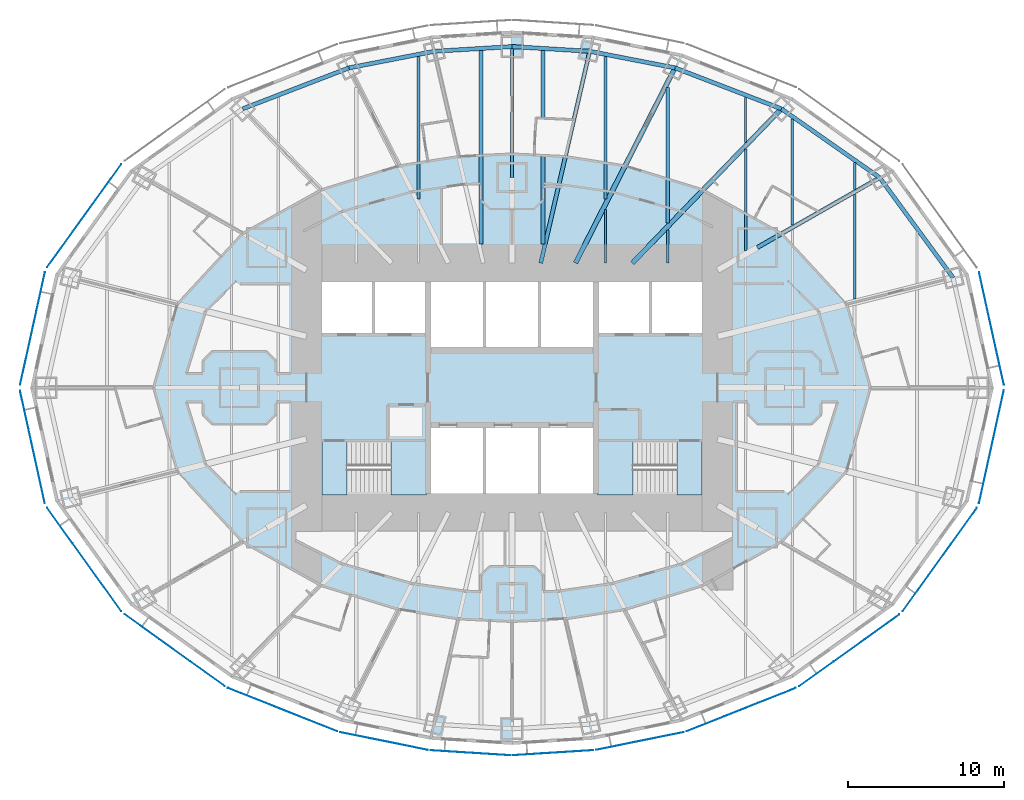
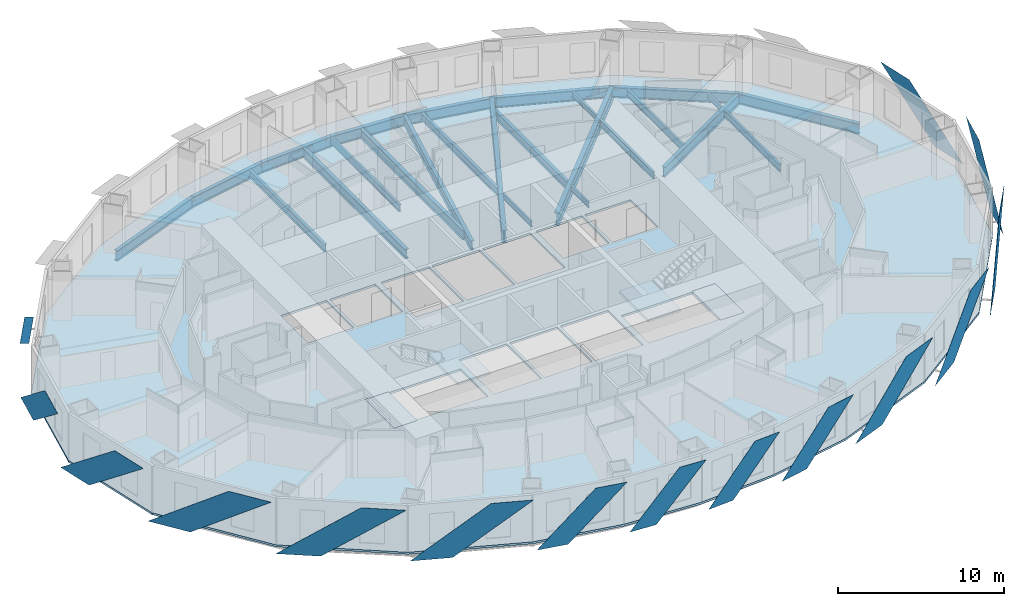
# One storey, part 3 of 15: 25 beams, 15 plates, 5 slabs, 2 elements without a shape of their own.
"""IFC4 building model written with IfcOpenShell, lengths in metres."""

import ifcopenshell
import ifcopenshell.guid

model = None  # the IFC model being written
_history = None  # IfcOwnerHistory: only IFC2X3 demands one
_inside = {}  # id of a spatial element -> (the spatial element, [elements in it])
_under = {}  # id of a project, library or spatial element -> (it, [spatial elements below it])
_declared = {}  # id of a project -> (the project, [libraries it declares])
_typed = {}  # id of a type object -> (the type object, [elements of that type])
_made_of = {}  # id of a material, layer set ... -> (it, [elements and type objects made of it])


def new_model(schema):
    """Start an empty IFC model of exactly this schema.

    Asked for "IFC4X3", IfcOpenShell would pick the latest addendum, in which some entities
    have other attributes; the version numbers below select the first issue.
    IFC2X3 requires an IfcOwnerHistory on every rooted entity: one is made here for all.
    """
    global model, _history
    if schema == "IFC4X3":
        model = ifcopenshell.file(schema_version=(4, 3, 0, 0))
    else:
        model = ifcopenshell.file(schema=schema)
    _inside.clear()
    _under.clear()
    _declared.clear()
    _typed.clear()
    _made_of.clear()
    _history = None
    if model.schema == "IFC2X3":
        org = make("IfcOrganization", Name="unknown")
        user = make(
            "IfcPersonAndOrganization",
            ThePerson=make("IfcPerson", FamilyName="unknown"),
            TheOrganization=org,
        )
        app = make(
            "IfcApplication",
            ApplicationDeveloper=org,
            Version="unknown",
            ApplicationFullName="unknown",
            ApplicationIdentifier="unknown",
        )
        _history = make(
            "IfcOwnerHistory",
            OwningUser=user,
            OwningApplication=app,
            ChangeAction="ADDED",
            CreationDate=0,
        )
    return model


def make(cls, **values):
    """One entity of the class cls with the attributes given. An attribute that is None is left unset."""
    return model.create_entity(
        cls, **{name: value for name, value in values.items() if value is not None}
    )


def rooted(cls, **values):
    """An entity with a GlobalId (a new one), such as an element, a storey or a relation."""
    return make(cls, GlobalId=ifcopenshell.guid.new(), OwnerHistory=_history, **values)


def si_unit(unit_type, name, prefix=None):
    """IfcSIUnit, for example si_unit("LENGTHUNIT", "METRE", prefix="MILLI")."""
    return make("IfcSIUnit", UnitType=unit_type, Prefix=prefix, Name=name)


def assignment(units):
    """IfcUnitAssignment: the units of a project."""
    return None if units is None else make("IfcUnitAssignment", Units=units)


def point(xyz):
    """IfcCartesianPoint."""
    return None if xyz is None else make("IfcCartesianPoint", Coordinates=xyz)


def direction(xyz):
    """IfcDirection."""
    return None if xyz is None else make("IfcDirection", DirectionRatios=xyz)


def frame(location, z_axis=None, x_axis=None):
    """IfcAxis2Placement3D, a coordinate frame: its origin and axes. An axis left out is left unset."""
    return make(
        "IfcAxis2Placement3D",
        Location=point(location),
        Axis=direction(z_axis),
        RefDirection=direction(x_axis),
    )


def frame_2d(location, x_axis=None):
    """IfcAxis2Placement2D, a coordinate frame in the plane: its origin and x axis."""
    return make(
        "IfcAxis2Placement2D", Location=point(location), RefDirection=direction(x_axis)
    )


def origin():
    """The frame at (0, 0, 0) with its axes left unset."""
    return frame((0.0, 0.0, 0.0))


def origin_2d():
    """The frame at (0, 0) in the plane with its x axis left unset."""
    return frame_2d((0.0, 0.0))


def place(relative_to, where):
    """IfcLocalPlacement: puts the frame where relative to a parent placement (None: the world)."""
    return make(
        "IfcLocalPlacement", PlacementRelTo=relative_to, RelativePlacement=where
    )


def context(
    kind, dimensions, precision=None, world=None, true_north=None, identifier=None
):
    """IfcGeometricRepresentationContext, for example the 3D "Model" context."""
    return make(
        "IfcGeometricRepresentationContext",
        ContextIdentifier=identifier,
        ContextType=kind,
        CoordinateSpaceDimension=dimensions,
        Precision=precision,
        WorldCoordinateSystem=world,
        TrueNorth=true_north,
    )


def subcontext(parent, identifier, kind, view, scale=None):
    """IfcGeometricRepresentationSubContext, for example "Body" below "Model"."""
    return make(
        "IfcGeometricRepresentationSubContext",
        ContextIdentifier=identifier,
        ContextType=kind,
        ParentContext=parent,
        TargetScale=scale,
        TargetView=view,
    )


def project(units=None, contexts=None):
    """IfcProject with its units and contexts."""
    return rooted(
        "IfcProject",
        Name="project",
        RepresentationContexts=contexts,
        UnitsInContext=assignment(units),
    )


def spatial(cls, under=None, at=None, **own):
    """A site, building, storey or space (cls), placed at a placement, below another one or the project."""
    s = rooted(cls, ObjectPlacement=at, **own)
    if under is not None:
        _under.setdefault(under.id(), (under, []))[1].append(s)
    return s


def polyline(points):
    """IfcPolyline through the points."""
    return make("IfcPolyline", Points=[point(p) for p in points])


def profile(cls, at=None, kind="AREA", **sizes):
    """A parametric profile (cls). Its sizes go by their IFC names, for example OverallWidth=200.0."""
    return make(cls, ProfileType=kind, Position=at, **sizes)


def i_section(**sizes):
    """IfcIShapeProfileDef."""
    return profile("IfcIShapeProfileDef", **sizes)


def outline(outer, holes=None, kind="AREA"):
    """IfcArbitraryClosedProfileDef: a profile drawn as a closed curve; with holes, ...WithVoids."""
    if holes is None:
        return make("IfcArbitraryClosedProfileDef", ProfileType=kind, OuterCurve=outer)
    return make(
        "IfcArbitraryProfileDefWithVoids",
        ProfileType=kind,
        OuterCurve=outer,
        InnerCurves=holes,
    )


def extrude(swept, where, along, depth):
    """IfcExtrudedAreaSolid: the profile swept, set in the frame where, extruded along a direction by depth."""
    return make(
        "IfcExtrudedAreaSolid",
        SweptArea=swept,
        Position=where,
        ExtrudedDirection=direction(along),
        Depth=depth,
    )


def shape(context_of_items, identifier, shape_type, items):
    """IfcShapeRepresentation: the items that make up one representation, for example the "Body"."""
    return make(
        "IfcShapeRepresentation",
        ContextOfItems=context_of_items,
        RepresentationIdentifier=identifier,
        RepresentationType=shape_type,
        Items=items,
    )


def material(Name=None, Category=None):
    """IfcMaterial."""
    return make("IfcMaterial", Name=Name, Category=Category)


def layer(
    of_material, thickness, ventilated=None, Name=None, Category=None, Priority=None
):
    """IfcMaterialLayer: one layer of a wall or slab, of a material (None: an air gap)."""
    return make(
        "IfcMaterialLayer",
        Material=of_material,
        LayerThickness=thickness,
        IsVentilated=ventilated,
        Name=Name,
        Category=Category,
        Priority=Priority,
    )


def layer_set(layers, Name=None):
    """IfcMaterialLayerSet."""
    return make("IfcMaterialLayerSet", MaterialLayers=layers, LayerSetName=Name)


def material_profile(
    of_material, cross_section, Name=None, Category=None, Priority=None
):
    """IfcMaterialProfile: a cross section and its material."""
    return make(
        "IfcMaterialProfile",
        Name=Name,
        Material=of_material,
        Profile=cross_section,
        Priority=Priority,
        Category=Category,
    )


def profile_set(profiles, Name=None, composite=None):
    """IfcMaterialProfileSet."""
    return make(
        "IfcMaterialProfileSet",
        Name=Name,
        MaterialProfiles=profiles,
        CompositeProfile=composite,
    )


def made_of(thing, what):
    """Note that an element or type object is made of a material, layer set ...; save() writes the relation."""
    if what is not None:
        _made_of.setdefault(what.id(), (what, []))[1].append(thing)
    return thing


def type_object(cls, material=None, **own):
    """A type object (cls), such as IfcWallType, which elements share."""
    return made_of(rooted(cls, **own), material)


def element(
    cls,
    number,
    at=None,
    inside=None,
    cuts=None,
    type_object=None,
    material=None,
    context=None,
    identifier="Body",
    shape_type=None,
    held_by="IfcProductDefinitionShape",
    body=None,
    shapes=None,
    **own,
):
    """One element of the class cls, such as IfcWall. Its Tag is "e" and its number.

    at: its placement. inside: the storey or other place that contains it. cuts: it is an
    opening in that element (IfcRelVoidsElement). A single representation is given by context,
    identifier, shape_type and body (its items); several are given by shapes. held_by: the class
    of the entity that holds the representations. save() writes the other relations.
    """
    e = rooted(cls, Tag="e%d" % number, ObjectPlacement=at, **own)
    if body is not None:
        shapes = [shape(context, identifier, shape_type, body)]
    if shapes is not None:
        e.Representation = make(held_by, Representations=shapes)
    if inside is not None:
        _inside.setdefault(inside.id(), (inside, []))[1].append(e)
    if cuts is not None:
        rooted(
            "IfcRelVoidsElement", RelatingBuildingElement=cuts, RelatedOpeningElement=e
        )
    if type_object is not None:
        _typed.setdefault(type_object.id(), (type_object, []))[1].append(e)
    return made_of(e, material)


def aggregate(whole, parts):
    """IfcRelAggregates: a whole, such as a stair, and the parts it consists of."""
    return rooted("IfcRelAggregates", RelatingObject=whole, RelatedObjects=parts)


def save(model, path):
    """Write the relations noted so far, then the file.

    IfcRelAggregates (storeys below a building ...), IfcRelContainedInSpatialStructure (elements
    in a storey), IfcRelDefinesByType, IfcRelAssociatesMaterial and IfcRelDeclares: one each for
    every whole, place, type object, material and project.
    """
    for whole, parts in _under.values():
        aggregate(whole, parts)
    for where, things in _inside.values():
        rooted(
            "IfcRelContainedInSpatialStructure",
            RelatedElements=things,
            RelatingStructure=where,
        )
    for kind, things in _typed.values():
        rooted("IfcRelDefinesByType", RelatedObjects=things, RelatingType=kind)
    for what, things in _made_of.values():
        rooted("IfcRelAssociatesMaterial", RelatedObjects=things, RelatingMaterial=what)
    for by, libraries in _declared.values():
        rooted("IfcRelDeclares", RelatingContext=by, RelatedDefinitions=libraries)
    model.write(path)


model = new_model("IFC4")

# Units and contexts
model_context = context("Model", 3, precision=1e-05, world=origin(), true_north=direction((0.0, 1.0)))
body_context = subcontext(model_context, "Body", "Model", "MODEL_VIEW")
ifc_project = project(units=[si_unit("LENGTHUNIT", "METRE"), si_unit("AREAUNIT", "SQUARE_METRE"), si_unit("VOLUMEUNIT", "CUBIC_METRE"), si_unit("PLANEANGLEUNIT", "RADIAN"), si_unit("MASSUNIT", "GRAM", prefix="KILO")], contexts=[model_context])

# Site, building, storey
site_placement = place(None, origin())
site = spatial("IfcSite", under=ifc_project, at=site_placement, CompositionType="ELEMENT")
building_placement = place(site_placement, origin())
building = spatial("IfcBuilding", under=site, at=building_placement, Name="Lantaw Convention Tower", CompositionType="ELEMENT")
storey_placement = place(building_placement, frame((0.0, 0.0, 94.60009765625)))
storey = spatial("IfcBuildingStorey", under=building, at=storey_placement, Name="L22", CompositionType="ELEMENT", Elevation=94.60009765625)

# Beams
ifc_material_1 = material(Name="Steel ASTM A992", Category="steel")
ifc_material_profile_1 = material_profile(ifc_material_1, i_section(OverallWidth=0.2666015625, OverallDepth=0.76953125, WebThickness=0.015625, FlangeThickness=0.025390625, FilletRadius=0.0126953125, at=origin_2d()), Name="W30X132")
ifc_profile_set_1 = profile_set([ifc_material_profile_1], Name="Steel ASTM A992")
beam_type_1 = type_object("IfcBeamType", Name="Beam E W30X132", PredefinedType="SPANDREL", material=ifc_profile_set_1)
beam_1_placement = place(storey_placement, frame((28.31787109375, 7.060302734375, -0.534912109375), z_axis=(-0.591270709086, 0.806473154281, 0.0), x_axis=(-0.806473154281, -0.591270709086, 0.0)))
element("IfcBeam", 1, at=beam_1_placement, inside=storey, type_object=beam_type_1, Name="Edge beam 2", PredefinedType="SPANDREL", context=body_context, shape_type="SweptSolid", body=[
    extrude(i_section(OverallWidth=0.2666015625, OverallDepth=0.76953125, WebThickness=0.015625, FlangeThickness=0.025390625, FilletRadius=0.0126953125, at=origin_2d()), origin(), (0.0, 0.0, 1.0), 7.970703125),
])
beam_2_placement = place(storey_placement, frame((23.60498046875, 13.488525390625, -0.534912109375), z_axis=(-0.81942686407, 0.57318375277, 0.0), x_axis=(-0.57318375277, -0.81942686407, 0.0)))
element("IfcBeam", 2, at=beam_2_placement, inside=storey, type_object=beam_type_1, Name="Edge beam 3", PredefinedType="SPANDREL", context=body_context, shape_type="SweptSolid", body=[
    extrude(i_section(OverallWidth=0.2666015625, OverallDepth=0.76953125, WebThickness=0.015625, FlangeThickness=0.025390625, FilletRadius=0.0126953125, at=origin_2d()), origin(), (0.0, 0.0, 1.0), 7.70556640625),
])
beam_3_placement = place(storey_placement, frame((17.290771484375, 17.9052734375, -0.534912109375), z_axis=(-0.933232900641, 0.359271976588, 0.0), x_axis=(-0.359271976588, -0.933232900641, 0.0)))
element("IfcBeam", 3, at=beam_3_placement, inside=storey, type_object=beam_type_1, Name="Edge beam 4", PredefinedType="SPANDREL", context=body_context, shape_type="SweptSolid", body=[
    extrude(i_section(OverallWidth=0.2666015625, OverallDepth=0.76953125, WebThickness=0.015625, FlangeThickness=0.025390625, FilletRadius=0.0126953125, at=origin_2d()), origin(), (0.0, 0.0, 1.0), 7.316650390625),
])
beam_4_placement = place(storey_placement, frame((10.462646484375, 20.533935546875, -0.534912109375), z_axis=(-0.981636565323, 0.190760723474, 0.0), x_axis=(-0.190760723474, -0.981636565323, 0.0)))
element("IfcBeam", 4, at=beam_4_placement, inside=storey, type_object=beam_type_1, Name="Edge beam 5", PredefinedType="SPANDREL", context=body_context, shape_type="SweptSolid", body=[
    extrude(i_section(OverallWidth=0.2666015625, OverallDepth=0.76953125, WebThickness=0.015625, FlangeThickness=0.025390625, FilletRadius=0.0126953125, at=origin_2d()), origin(), (0.0, 0.0, 1.0), 5.578857421875),
])
for number, where, z_axis, x_axis, name in (
    (5, (4.986328125, 21.59814453125, -0.534912109375), (-0.998173858406, 0.060406526096, 0.0), (-0.060406526096, -0.998173858406, 0.0), "Edge beam 6"),
    (6, (0.0, 21.89990234375, -0.534912109375), (-0.998173858406, -0.060406526096, 0.0), (0.060406526096, -0.998173858406, 0.0), "Edge beam 7"),
):
    element("IfcBeam", number, at=place(storey_placement, frame(where, z_axis=z_axis, x_axis=x_axis)), inside=storey, type_object=beam_type_1, Name=name, PredefinedType="SPANDREL", context=body_context, shape_type="SweptSolid", body=[
        extrude(i_section(OverallWidth=0.2666015625, OverallDepth=0.76953125, WebThickness=0.015625, FlangeThickness=0.025390625, FilletRadius=0.0126953125, at=origin_2d()), origin(), (0.0, 0.0, 1.0), 4.995361328125),
    ])
beam_5_placement = place(storey_placement, frame((-4.986328125, 21.59814453125, -0.534912109375), z_axis=(-0.981636565323, -0.190760723474, 0.0), x_axis=(0.190760723474, -0.981636565323, 0.0)))
element("IfcBeam", 7, at=beam_5_placement, inside=storey, type_object=beam_type_1, Name="Edge beam 8", PredefinedType="SPANDREL", context=body_context, shape_type="SweptSolid", body=[
    extrude(i_section(OverallWidth=0.2666015625, OverallDepth=0.76953125, WebThickness=0.015625, FlangeThickness=0.025390625, FilletRadius=0.0126953125, at=origin_2d()), origin(), (0.0, 0.0, 1.0), 5.578857421875),
])
beam_6_placement = place(storey_placement, frame((-10.462646484375, 20.533935546875, -0.534912109375), z_axis=(-0.933232900641, -0.359271976588, 0.0), x_axis=(0.359271976588, -0.933232900641, 0.0)))
element("IfcBeam", 8, at=beam_6_placement, inside=storey, type_object=beam_type_1, Name="Edge beam 9", PredefinedType="SPANDREL", context=body_context, shape_type="SweptSolid", body=[
    extrude(i_section(OverallWidth=0.2666015625, OverallDepth=0.76953125, WebThickness=0.015625, FlangeThickness=0.025390625, FilletRadius=0.0126953125, at=origin_2d()), origin(), (0.0, 0.0, 1.0), 7.316650390625),
])
ifc_material_profile_2 = material_profile(ifc_material_1, i_section(OverallWidth=0.1650390625, OverallDepth=0.52587890625, WebThickness=0.0087890625, FlangeThickness=0.011474609375, FilletRadius=0.0126953125, at=origin_2d()), Name="W21X44")
ifc_profile_set_2 = profile_set([ifc_material_profile_2], Name="Steel ASTM A992")
beam_type_2 = type_object("IfcBeamType", Name="Beam G W21X44", PredefinedType="BEAM", material=ifc_profile_set_2)
beam_7_placement = place(storey_placement, frame((0.0, 13.5, -0.4130859375), z_axis=(0.0, 1.0, 0.0), x_axis=(-1.0, 0.0, 0.0)))
element("IfcBeam", 9, at=beam_7_placement, inside=storey, type_object=beam_type_2, Name="Floor girder on ray 7", PredefinedType="BEAM", context=body_context, shape_type="SweptSolid", body=[
    extrude(i_section(OverallWidth=0.1650390625, OverallDepth=0.52587890625, WebThickness=0.0087890625, FlangeThickness=0.011474609375, FilletRadius=0.0126953125, at=origin_2d()), origin(), (0.0, 0.0, 1.0), 8.39990234375),
])
ifc_material_profile_3 = material_profile(ifc_material_1, i_section(OverallWidth=0.25390625, OverallDepth=0.683349609375, WebThickness=0.012451171875, FlangeThickness=0.01904296875, FilletRadius=0.01513671875, at=origin_2d()), Name="W27X94")
ifc_profile_set_3 = profile_set([ifc_material_profile_3], Name="Steel ASTM A992")
beam_type_3 = type_object("IfcBeamType", Name="Beam G W27X94", PredefinedType="BEAM", material=ifc_profile_set_3)
beam_8_placement = place(storey_placement, frame((1.846923828125, 8.0, -0.49169921875), z_axis=(0.224952773175, 0.97436966796, 0.0), x_axis=(-0.97436966796, 0.224952773175, 0.0)))
element("IfcBeam", 10, at=beam_8_placement, inside=storey, type_object=beam_type_3, Name="Floor girder on ray 6", PredefinedType="BEAM", context=body_context, shape_type="SweptSolid", body=[
    extrude(i_section(OverallWidth=0.25390625, OverallDepth=0.683349609375, WebThickness=0.012451171875, FlangeThickness=0.01904296875, FilletRadius=0.01513671875, at=origin_2d()), origin(), (0.0, 0.0, 1.0), 13.955810546875),
])
ifc_material_profile_4 = material_profile(ifc_material_1, i_section(OverallWidth=0.2666015625, OverallDepth=0.7568359375, WebThickness=0.013916015625, FlangeThickness=0.019287109375, FilletRadius=0.0126953125, at=origin_2d()), Name="W30X108")
ifc_profile_set_4 = profile_set([ifc_material_profile_4], Name="Steel ASTM A992")
beam_type_4 = type_object("IfcBeamType", Name="Beam G W30X108", PredefinedType="BEAM", material=ifc_profile_set_4)
beam_9_placement = place(storey_placement, frame((15.75, 9.0, -0.528564453125), z_axis=(0.868244802791, 0.496136032179, 0.0), x_axis=(-0.496136032179, 0.868244802791, 0.0)))
element("IfcBeam", 11, at=beam_9_placement, inside=storey, type_object=beam_type_4, Name="Floor girder on ray 3", PredefinedType="BEAM", context=body_context, shape_type="SweptSolid", body=[
    extrude(i_section(OverallWidth=0.2666015625, OverallDepth=0.7568359375, WebThickness=0.013916015625, FlangeThickness=0.019287109375, FilletRadius=0.0126953125, at=origin_2d()), origin(), (0.0, 0.0, 1.0), 9.046875),
])
ifc_material_profile_5 = material_profile(ifc_material_1, i_section(OverallWidth=0.307373046875, OverallDepth=0.922119140625, WebThickness=0.018310546875, FlangeThickness=0.030029296875, FilletRadius=0.0126953125, at=origin_2d()), Name="W36X182")
ifc_profile_set_5 = profile_set([ifc_material_profile_5], Name="Steel ASTM A992")
beam_type_5 = type_object("IfcBeamType", Name="Beam G W36X182", PredefinedType="BEAM", material=ifc_profile_set_5)
beam_10_placement = place(storey_placement, frame((7.7255859375, 8.0, -0.611083984375), z_axis=(0.694649884291, 0.719347995239, 0.0), x_axis=(-0.719347995239, 0.694649884291, 0.0)))
element("IfcBeam", 12, at=beam_10_placement, inside=storey, type_object=beam_type_5, Name="Floor girder on ray 4", PredefinedType="BEAM", context=body_context, shape_type="SweptSolid", body=[
    extrude(i_section(OverallWidth=0.307373046875, OverallDepth=0.922119140625, WebThickness=0.018310546875, FlangeThickness=0.030029296875, FilletRadius=0.0126953125, at=origin_2d()), origin(), (0.0, 0.0, 1.0), 13.769775390625),
])
beam_11_placement = place(storey_placement, frame((4.076171875, 8.0, -0.611083984375), z_axis=(0.453997016122, 0.891003203896, 0.0), x_axis=(-0.891003203896, 0.453997016122, 0.0)))
element("IfcBeam", 13, at=beam_11_placement, inside=storey, type_object=beam_type_5, Name="Floor girder on ray 5", PredefinedType="BEAM", context=body_context, shape_type="SweptSolid", body=[
    extrude(i_section(OverallWidth=0.307373046875, OverallDepth=0.922119140625, WebThickness=0.018310546875, FlangeThickness=0.030029296875, FilletRadius=0.0126953125, at=origin_2d()), origin(), (0.0, 0.0, 1.0), 14.067138671875),
])
ifc_material_profile_6 = material_profile(ifc_material_1, i_section(OverallWidth=0.140380859375, OverallDepth=0.40380859375, WebThickness=0.007080078125, FlangeThickness=0.01123046875, FilletRadius=0.01025390625, at=origin_2d()), Name="W16X31")
ifc_profile_set_6 = profile_set([ifc_material_profile_6], Name="Steel ASTM A992")
beam_type_6 = type_object("IfcBeamType", Name="Beam J W16X31", PredefinedType="JOIST", material=ifc_profile_set_6)
beam_12_placement = place(storey_placement, frame((6.0, 8.0, -0.35205078125), z_axis=(0.0, 1.0, 0.0), x_axis=(-1.0, 0.0, 0.0)))
element("IfcBeam", 14, at=beam_12_placement, inside=storey, type_object=beam_type_6, Name="Floor joist", PredefinedType="JOIST", context=body_context, shape_type="SweptSolid", body=[
    extrude(i_section(OverallWidth=0.140380859375, OverallDepth=0.40380859375, WebThickness=0.007080078125, FlangeThickness=0.01123046875, FilletRadius=0.01025390625, at=origin_2d()), origin(), (0.0, 0.0, 1.0), 3.437255859375),
])
beam_13_placement = place(storey_placement, frame((10.0, 8.0, -0.35205078125), z_axis=(0.0, 1.0, 0.0), x_axis=(-1.0, 0.0, 0.0)))
element("IfcBeam", 15, at=beam_13_placement, inside=storey, type_object=beam_type_6, Name="Floor joist", PredefinedType="JOIST", context=body_context, shape_type="SweptSolid", body=[
    extrude(i_section(OverallWidth=0.140380859375, OverallDepth=0.40380859375, WebThickness=0.007080078125, FlangeThickness=0.01123046875, FilletRadius=0.01025390625, at=origin_2d()), origin(), (0.0, 0.0, 1.0), 2.134033203125),
])
beam_14_placement = place(storey_placement, frame((15.0, 15.754150390625, -0.35205078125), z_axis=(0.0, 1.0, 0.0), x_axis=(-1.0, 0.0, 0.0)))
element("IfcBeam", 16, at=beam_14_placement, inside=storey, type_object=beam_type_6, Name="Floor joist", PredefinedType="JOIST", context=body_context, shape_type="SweptSolid", body=[
    extrude(i_section(OverallWidth=0.140380859375, OverallDepth=0.40380859375, WebThickness=0.007080078125, FlangeThickness=0.01123046875, FilletRadius=0.01025390625, at=origin_2d()), origin(), (0.0, 0.0, 1.0), 2.89013671875),
])
beam_15_placement = place(storey_placement, frame((22.0, 12.72509765625, -0.35205078125), z_axis=(0.0, 1.0, 0.0), x_axis=(-1.0, 0.0, 0.0)))
element("IfcBeam", 17, at=beam_15_placement, inside=storey, type_object=beam_type_6, Name="Floor joist", PredefinedType="JOIST", context=body_context, shape_type="SweptSolid", body=[
    extrude(i_section(OverallWidth=0.140380859375, OverallDepth=0.40380859375, WebThickness=0.007080078125, FlangeThickness=0.01123046875, FilletRadius=0.01025390625, at=origin_2d()), origin(), (0.0, 0.0, 1.0), 1.723388671875),
])
ifc_material_profile_7 = material_profile(ifc_material_1, i_section(OverallWidth=0.1650390625, OverallDepth=0.52587890625, WebThickness=0.0087890625, FlangeThickness=0.011474609375, FilletRadius=0.0126953125, at=origin_2d()), Name="W21X44")
ifc_profile_set_7 = profile_set([ifc_material_profile_7], Name="Steel ASTM A992")
beam_type_7 = type_object("IfcBeamType", Name="Beam J W21X44", PredefinedType="JOIST", material=ifc_profile_set_7)
beam_16_placement = place(storey_placement, frame((15.0, 8.803955078125, -0.4130859375), z_axis=(0.0, 1.0, 0.0), x_axis=(-1.0, 0.0, 0.0)))
element("IfcBeam", 18, at=beam_16_placement, inside=storey, type_object=beam_type_7, Name="Floor joist", PredefinedType="JOIST", context=body_context, shape_type="SweptSolid", body=[
    extrude(i_section(OverallWidth=0.1650390625, OverallDepth=0.52587890625, WebThickness=0.0087890625, FlangeThickness=0.011474609375, FilletRadius=0.0126953125, at=origin_2d()), origin(), (0.0, 0.0, 1.0), 6.5078125),
])
beam_17_placement = place(storey_placement, frame((18.0, 10.439208984375, -0.4130859375), z_axis=(0.0, 1.0, 0.0), x_axis=(-1.0, 0.0, 0.0)))
element("IfcBeam", 19, at=beam_17_placement, inside=storey, type_object=beam_type_7, Name="Floor joist", PredefinedType="JOIST", context=body_context, shape_type="SweptSolid", body=[
    extrude(i_section(OverallWidth=0.1650390625, OverallDepth=0.52587890625, WebThickness=0.0087890625, FlangeThickness=0.011474609375, FilletRadius=0.0126953125, at=origin_2d()), origin(), (0.0, 0.0, 1.0), 6.80712890625),
])
beam_18_placement = place(storey_placement, frame((22.0, 5.693359375, -0.4130859375), z_axis=(0.0, 1.0, 0.0), x_axis=(-1.0, 0.0, 0.0)))
element("IfcBeam", 20, at=beam_18_placement, inside=storey, type_object=beam_type_7, Name="Floor joist", PredefinedType="JOIST", context=body_context, shape_type="SweptSolid", body=[
    extrude(i_section(OverallWidth=0.1650390625, OverallDepth=0.52587890625, WebThickness=0.0087890625, FlangeThickness=0.011474609375, FilletRadius=0.0126953125, at=origin_2d()), origin(), (0.0, 0.0, 1.0), 6.724609375),
])
ifc_material_profile_8 = material_profile(ifc_material_1, i_section(OverallWidth=0.2099609375, OverallDepth=0.535888671875, WebThickness=0.010986328125, FlangeThickness=0.017333984375, FilletRadius=0.012939453125, at=origin_2d()), Name="W21X68")
ifc_profile_set_8 = profile_set([ifc_material_profile_8], Name="Steel ASTM A992")
beam_type_8 = type_object("IfcBeamType", Name="Beam J W21X68", PredefinedType="JOIST", material=ifc_profile_set_8)
for number, where, z_axis, x_axis, name in (
    (21, (-6.0, 12.1142578125, -0.41796875), (0.0, 1.0, 0.0), (-1.0, 0.0, 0.0), "Floor joist"),
    (22, (6.0, 12.1142578125, -0.41796875), (0.0, 1.0, 0.0), (-1.0, 0.0, 0.0), "Floor joist"),
):
    element("IfcBeam", number, at=place(storey_placement, frame(where, z_axis=z_axis, x_axis=x_axis)), inside=storey, type_object=beam_type_8, Name=name, PredefinedType="JOIST", context=body_context, shape_type="SweptSolid", body=[
        extrude(i_section(OverallWidth=0.2099609375, OverallDepth=0.535888671875, WebThickness=0.010986328125, FlangeThickness=0.017333984375, FilletRadius=0.012939453125, at=origin_2d()), origin(), (0.0, 0.0, 1.0), 9.15087890625),
    ])
ifc_material_profile_9 = material_profile(ifc_material_1, i_section(OverallWidth=0.227783203125, OverallDepth=0.60205078125, WebThickness=0.010498046875, FlangeThickness=0.014892578125, FilletRadius=0.012939453125, at=origin_2d()), Name="W24X68")
ifc_profile_set_9 = profile_set([ifc_material_profile_9], Name="Steel ASTM A992")
beam_type_9 = type_object("IfcBeamType", Name="Beam J W24X68", PredefinedType="JOIST", material=ifc_profile_set_9)
beam_19_placement = place(storey_placement, frame((10.0, 10.576416015625, -0.451171875), z_axis=(0.0, 1.0, 0.0), x_axis=(-1.0, 0.0, 0.0)))
element("IfcBeam", 23, at=beam_19_placement, inside=storey, type_object=beam_type_9, Name="Floor joist", PredefinedType="JOIST", context=body_context, shape_type="SweptSolid", body=[
    extrude(i_section(OverallWidth=0.227783203125, OverallDepth=0.60205078125, WebThickness=0.010498046875, FlangeThickness=0.014892578125, FilletRadius=0.012939453125, at=origin_2d()), origin(), (0.0, 0.0, 1.0), 8.711181640625),
])
ifc_material_profile_10 = material_profile(ifc_material_1, i_section(OverallWidth=0.25390625, OverallDepth=0.700927734375, WebThickness=0.015380859375, FlangeThickness=0.02783203125, FilletRadius=0.01513671875, at=origin_2d()), Name="W27X129")
ifc_profile_set_10 = profile_set([ifc_material_profile_10], Name="Steel ASTM A992")
beam_type_10 = type_object("IfcBeamType", Name="Beam J W27X129", PredefinedType="JOIST", material=ifc_profile_set_10)
for number, where, z_axis, x_axis, name in (
    (24, (-2.0, 9.2275390625, -0.500732421875), (0.0, 1.0, 0.0), (-1.0, 0.0, 0.0), "Floor joist"),
    (25, (2.0, 9.2275390625, -0.500732421875), (0.0, 1.0, 0.0), (-1.0, 0.0, 0.0), "Floor joist"),
):
    element("IfcBeam", number, at=place(storey_placement, frame(where, z_axis=z_axis, x_axis=x_axis)), inside=storey, type_object=beam_type_10, Name=name, PredefinedType="JOIST", context=body_context, shape_type="SweptSolid", body=[
        extrude(i_section(OverallWidth=0.25390625, OverallDepth=0.700927734375, WebThickness=0.015380859375, FlangeThickness=0.02783203125, FilletRadius=0.01513671875, at=origin_2d()), origin(), (0.0, 0.0, 1.0), 12.417724609375),
    ])

# Slab
ifc_material_2 = material(Name="Concrete C35/45", Category="concrete")
ifc_layer_1 = layer(ifc_material_2, 0.14990234375)
ifc_layer_set_1 = layer_set([ifc_layer_1], Name="Floor slab 150")
slab_type_1 = type_object("IfcSlabType", Name="Floor slab 150", PredefinedType="FLOOR", material=ifc_layer_set_1)
slab_1_placement = place(storey_placement, frame((0.0, 0.0, -0.150146484375)))
element("IfcSlab", 26, at=slab_1_placement, inside=storey, type_object=slab_type_1, Name="L22 floor slab", PredefinedType="FLOOR", context=body_context, shape_type="SweptSolid", body=[
    extrude(outline(polyline([(29.315185546875, -7.29541015625), (30.923095703125, 0.0), (29.315185546875, 7.29541015625), (24.50634765625, 13.98046875), (18.018798828125, 18.630126953125), (10.9404296875, 21.44189453125), (5.223876953125, 22.59521484375), (0.0, 22.9248046875), (-5.223876953125, 22.59521484375), (-10.9404296875, 21.44189453125), (-18.018798828125, 18.630126953125), (-24.50634765625, 13.98046875), (-29.315185546875, 7.29541015625), (-30.923095703125, 0.0), (-29.315185546875, -7.29541015625), (-24.50634765625, -13.98046875), (-18.018798828125, -18.630126953125), (-10.9404296875, -21.44189453125), (-5.223876953125, -22.59521484375), (0.0, -22.9248046875), (5.223876953125, -22.59521484375), (10.9404296875, -21.44189453125), (18.018798828125, -18.630126953125), (24.50634765625, -13.98046875), (29.315185546875, -7.29541015625)]), holes=[polyline([(-5.60009765625, -3.5), (-12.199951171875, -3.5), (-12.199951171875, -6.800048828125), (-5.60009765625, -6.800048828125), (-5.60009765625, -3.5)]), polyline([(-1.86669921875, -6.800048828125), (-1.86669921875, -2.60009765625), (-5.199951171875, -2.60009765625), (-5.199951171875, -6.800048828125), (-1.86669921875, -6.800048828125)]), polyline([(-1.86669921875, 2.60009765625), (-1.86669921875, 6.800048828125), (-5.199951171875, 6.800048828125), (-5.199951171875, 2.60009765625), (-1.86669921875, 2.60009765625)]), polyline([(1.666748046875, 6.800048828125), (-1.666748046875, 6.800048828125), (-1.666748046875, 2.60009765625), (1.666748046875, 2.60009765625), (1.666748046875, 6.800048828125)]), polyline([(-9.0, 3.5), (-9.0, 6.800048828125), (-12.199951171875, 6.800048828125), (-12.199951171875, 3.5), (-9.0, 3.5)]), polyline([(-5.60009765625, 3.5), (-5.60009765625, 6.800048828125), (-8.800048828125, 6.800048828125), (-8.800048828125, 3.5), (-5.60009765625, 3.5)]), polyline([(12.199951171875, -3.5), (5.60009765625, -3.5), (5.60009765625, -6.800048828125), (12.199951171875, -6.800048828125), (12.199951171875, -3.5)]), polyline([(1.666748046875, -6.800048828125), (1.666748046875, -2.60009765625), (-1.666748046875, -2.60009765625), (-1.666748046875, -6.800048828125), (1.666748046875, -6.800048828125)]), polyline([(5.199951171875, -6.800048828125), (5.199951171875, -2.60009765625), (1.86669921875, -2.60009765625), (1.86669921875, -6.800048828125), (5.199951171875, -6.800048828125)]), polyline([(5.199951171875, 6.800048828125), (1.86669921875, 6.800048828125), (1.86669921875, 2.60009765625), (5.199951171875, 2.60009765625), (5.199951171875, 6.800048828125)]), polyline([(8.800048828125, 3.5), (8.800048828125, 6.800048828125), (5.60009765625, 6.800048828125), (5.60009765625, 3.5), (8.800048828125, 3.5)]), polyline([(12.199951171875, 3.5), (12.199951171875, 6.800048828125), (9.0, 6.800048828125), (9.0, 3.5), (12.199951171875, 3.5)])]), origin(), (0.0, 0.0, 1.0), 0.150146484375),
])

# Plates
ifc_material_3 = material(Name="Perforated aluminium sheet, pale silver finish", Category="aluminium")
ifc_layer_2 = layer(ifc_material_3, 0.006103515625)
ifc_layer_set_2 = layer_set([ifc_layer_2], Name="Perforated aluminium solar SCREEN panel")
plate_type = type_object("IfcPlateType", Name="Perforated aluminium solar SCREEN panel", PredefinedType="SHEET", material=ifc_layer_set_2)
plate_1_placement = place(storey_placement, frame((31.5810546875, 0.17919921875, -0.175048828125), z_axis=(-0.97655943558, -0.215247921852, 3.0295023e-05), x_axis=(-0.215247921951, 0.976559436028, 3.12e-10)))
element("IfcPlate", 27, at=plate_1_placement, inside=storey, type_object=plate_type, Name="Solar SCREEN panel", PredefinedType="SHEET", context=body_context, shape_type="SweptSolid", body=[
    extrude(outline(polyline([(0.0, 0.0), (2.551002212329069, 3.3881317890172014e-21), (7.402498252985418, -3.739990233781388), (4.851734458487411, -3.7399902353733405), (0.0, 0.0)])), origin(), (0.0, 0.0, -1.0), 0.006103515625),
])
plate_2_placement = place(storey_placement, frame((-25.0810546875, 14.34765625, -0.175048828125), z_axis=(0.811791382613, -0.583947558463, 9.019268e-06), x_axis=(-0.583947558486, -0.811791382646, 0.0)))
element("IfcPlate", 28, at=plate_2_placement, inside=storey, type_object=plate_type, Name="Solar SCREEN panel", PredefinedType="SHEET", context=body_context, shape_type="SweptSolid", body=[
    extrude(outline(polyline([(0.0, 0.0), (2.809541672291133, 0.0), (8.163093158837512, -3.739990234527119), (5.353551486546379, -3.739990234527119), (0.0, 0.0)])), origin(), (0.0, 0.0, -1.0), 0.006103515625),
])
plate_3_placement = place(storey_placement, frame((-29.98779296875, 7.408203125, -0.175048828125), z_axis=(-0.97655943558, 0.215247921852, 3.0295023e-05), x_axis=(-0.215247921951, -0.976559436028, -3.12e-10)))
element("IfcPlate", 29, at=plate_3_placement, inside=storey, type_object=plate_type, Name="Solar SCREEN panel", PredefinedType="SHEET", context=body_context, shape_type="SweptSolid", body=[
    extrude(outline(polyline([(0.0, 0.0), (2.5507637944980077, 6.776263578034403e-21), (7.402498250651261, 3.7399902384013473), (4.851496038322192, 3.739990236809246), (0.0, 0.0)])), origin(), (0.0, 0.0, -1.0), 0.006103515625),
])
plate_4_placement = place(storey_placement, frame((-31.5810546875, -0.17919921875, -0.175048828125), z_axis=(0.97655943558, 0.215247921852, 3.0295023e-05), x_axis=(0.215247921951, -0.976559436028, 3.12e-10)))
element("IfcPlate", 30, at=plate_4_placement, inside=storey, type_object=plate_type, Name="Solar SCREEN panel", PredefinedType="SHEET", context=body_context, shape_type="SweptSolid", body=[
    extrude(outline(polyline([(0.0, 0.0), (2.551002212329069, 3.3881317890172014e-21), (7.402498252985418, -3.739990233781388), (4.851734458487411, -3.7399902353733405), (0.0, 0.0)])), origin(), (0.0, 0.0, -1.0), 0.006103515625),
])
plate_5_placement = place(storey_placement, frame((-29.847900390625, -7.720947265625, -0.175048828125), z_axis=(-0.811791382613, -0.583947558463, 9.019268e-06), x_axis=(0.583947558486, -0.811791382646, 0.0)))
element("IfcPlate", 31, at=plate_5_placement, inside=storey, type_object=plate_type, Name="Solar SCREEN panel", PredefinedType="SHEET", context=body_context, shape_type="SweptSolid", body=[
    extrude(outline(polyline([(0.0, 0.0), (2.809541672291133, 0.0), (8.163093158837512, 3.739990234527119), (5.353551486546379, 3.739990234527119), (0.0, 0.0)])), origin(), (0.0, 0.0, -1.0), 0.006103515625),
])
plate_6_placement = place(storey_placement, frame((-24.872314453125, -14.555908203125, -0.175048828125), z_axis=(-0.582561421998, -0.812786681331, 1.5819417e-05), x_axis=(0.812786681433, -0.582561422071, 0.0)))
element("IfcPlate", 32, at=plate_6_placement, inside=storey, type_object=plate_type, Name="Solar SCREEN panel", PredefinedType="SHEET", context=body_context, shape_type="SweptSolid", body=[
    extrude(outline(polyline([(0.0, 0.0), (2.721095180812288, 3.3881317890172014e-21), (7.903118572410756, 3.739990234842974), (5.182023391598468, 3.739990234842974), (0.0, 0.0)])), origin(), (0.0, 0.0, -1.0), 0.006103515625),
])
plate_7_placement = place(storey_placement, frame((-18.232177734375, -19.278076171875, -0.175048828125), z_axis=(0.369183532846, 0.929356508016, 9.163296e-06), x_axis=(0.929356508055, -0.369183532862, 0.0)))
element("IfcPlate", 33, at=plate_7_placement, inside=storey, type_object=plate_type, Name="Solar SCREEN panel", PredefinedType="SHEET", context=body_context, shape_type="SweptSolid", body=[
    extrude(outline(polyline([(0.0, 0.0), (2.594936467166582, -1.6940658945086007e-21), (7.5321069917580825, -3.739990234532016), (4.937170524591499, -3.739990234532016), (0.0, 0.0)])), origin(), (0.0, 0.0, -1.0), 0.006103515625),
])
plate_8_placement = place(storey_placement, frame((-11.03271484375, -22.117919921875, -0.175048828125), z_axis=(0.197781876197, 0.980246055561, 2.418535e-06), x_axis=(0.980246055563, -0.197781876198, 1.46e-10)))
element("IfcPlate", 34, at=plate_8_placement, inside=storey, type_object=plate_type, Name="Solar SCREEN panel", PredefinedType="SHEET", context=body_context, shape_type="SweptSolid", body=[
    extrude(outline(polyline([(0.0, 0.0), (1.9867801772236329, -3.1763735522036263e-22), (5.743587245978565, -3.7399902335493134), (3.7568553553458006, -3.739990234128105), (0.0, 0.0)])), origin(), (0.0, 0.0, -1.0), 0.006103515625),
])
plate_9_placement = place(storey_placement, frame((-5.221923828125, -23.27783203125, -0.175048828125), z_axis=(0.062923905251, 0.998018327468, 1.3605496e-05), x_axis=(0.998018327561, -0.062923905257, 9.3e-10)))
element("IfcPlate", 35, at=plate_9_placement, inside=storey, type_object=plate_type, Name="Solar SCREEN panel", PredefinedType="SHEET", context=body_context, shape_type="SweptSolid", body=[
    extrude(outline(polyline([(0.0, 0.0), (1.7828375409377817, -2.117582368135751e-22), (5.143985963027618, -3.739990229938699), (3.3611637843713935, -3.7399902332537565), (0.0, 0.0)])), origin(), (0.0, 0.0, -1.0), 0.006103515625),
])
plate_10_placement = place(storey_placement, frame((0.088134765625, -23.6015625, -0.175048828125), z_axis=(0.062923905251, -0.998018327468, 1.3605496e-05), x_axis=(0.998018327561, 0.062923905257, -9.3e-10)))
element("IfcPlate", 36, at=plate_10_placement, inside=storey, type_object=plate_type, Name="Solar SCREEN panel", PredefinedType="SHEET", context=body_context, shape_type="SweptSolid", body=[
    extrude(outline(polyline([(0.0, 0.0), (1.782822178656225, -2.117582368135751e-22), (5.143985956073316, 3.7399902395036517), (3.3611484151355353, 3.7399902361885653), (0.0, 0.0)])), origin(), (0.0, 0.0, -1.0), 0.006103515625),
])
plate_11_placement = place(storey_placement, frame((5.402587890625, -23.25390625, -0.175048828125), z_axis=(0.197781876197, -0.980246055561, 2.418535e-06), x_axis=(0.980246055563, 0.197781876198, -1.46e-10)))
element("IfcPlate", 37, at=plate_11_placement, inside=storey, type_object=plate_type, Name="Solar SCREEN panel", PredefinedType="SHEET", context=body_context, shape_type="SweptSolid", body=[
    extrude(outline(polyline([(0.0, 0.0), (1.9867318906327642, 1.0587911840678754e-22), (5.743587244888999, 3.7399902352225842), (3.7568070676653664, 3.7399902346437783), (0.0, 0.0)])), origin(), (0.0, 0.0, -1.0), 0.006103515625),
])
plate_12_placement = place(storey_placement, frame((11.232177734375, -22.058837890625, -0.175048828125), z_axis=(0.369183532846, -0.929356508016, 9.163296e-06), x_axis=(0.929356508055, 0.369183532862, 0.0)))
element("IfcPlate", 38, at=plate_12_placement, inside=storey, type_object=plate_type, Name="Solar SCREEN panel", PredefinedType="SHEET", context=body_context, shape_type="SweptSolid", body=[
    extrude(outline(polyline([(0.0, 0.0), (2.594936467166582, 1.6940658945086007e-21), (7.5321069917580825, 3.739990234532016), (4.937170524591499, 3.739990234532016), (0.0, 0.0)])), origin(), (0.0, 0.0, -1.0), 0.006103515625),
])
plate_13_placement = place(storey_placement, frame((18.44873046875, -19.159912109375, -0.175048828125), z_axis=(-0.582561421998, 0.812786681331, 1.5819417e-05), x_axis=(0.812786681433, 0.582561422071, 0.0)))
element("IfcPlate", 39, at=plate_13_placement, inside=storey, type_object=plate_type, Name="Solar SCREEN panel", PredefinedType="SHEET", context=body_context, shape_type="SweptSolid", body=[
    extrude(outline(polyline([(0.0, 0.0), (2.721095180812288, -3.3881317890172014e-21), (7.903118572410756, -3.739990234842974), (5.182023391598468, -3.739990234842974), (0.0, 0.0)])), origin(), (0.0, 0.0, -1.0), 0.006103515625),
])
plate_14_placement = place(storey_placement, frame((25.0810546875, -14.34765625, -0.175048828125), z_axis=(-0.811791382613, 0.583947558463, 9.019268e-06), x_axis=(0.583947558486, 0.811791382646, 0.0)))
element("IfcPlate", 40, at=plate_14_placement, inside=storey, type_object=plate_type, Name="Solar SCREEN panel", PredefinedType="SHEET", context=body_context, shape_type="SweptSolid", body=[
    extrude(outline(polyline([(0.0, 0.0), (2.809541672291133, 0.0), (8.163093158837512, -3.739990234527119), (5.353551486546379, -3.739990234527119), (0.0, 0.0)])), origin(), (0.0, 0.0, -1.0), 0.006103515625),
])
plate_15_placement = place(storey_placement, frame((29.98779296875, -7.408203125, -0.175048828125), z_axis=(0.97655943558, -0.215247921852, 3.0295023e-05), x_axis=(0.215247921951, 0.976559436028, -3.12e-10)))
element("IfcPlate", 41, at=plate_15_placement, inside=storey, type_object=plate_type, Name="Solar SCREEN panel", PredefinedType="SHEET", context=body_context, shape_type="SweptSolid", body=[
    extrude(outline(polyline([(0.0, 0.0), (2.5507637944980077, 6.776263578034403e-21), (7.402498250651261, 3.7399902384013473), (4.851496038322192, 3.739990236809246), (0.0, 0.0)])), origin(), (0.0, 0.0, -1.0), 0.006103515625),
])

# Stair, slabs
stair_type = type_object("IfcStairType", Name="Exit stair 1500 riser 163.64 in 2 flights", PredefinedType="HALF_TURN_STAIR", material=ifc_material_2)
stair_1_placement = place(storey_placement, origin())
stair_1 = element("IfcStair", 42, at=stair_1_placement, inside=storey, type_object=stair_type, Name="Exit stair S1 L22", PredefinedType="HALF_TURN_STAIR")
ifc_layer_3 = layer(ifc_material_2, 0.199951171875)
ifc_layer_set_3 = layer_set([ifc_layer_3], Name="Stair landing 200")
slab_type_2 = type_object("IfcSlabType", Name="Stair landing 200", PredefinedType="LANDING", material=ifc_layer_set_3)
slab_2_placement = place(storey_placement, frame((0.0, 0.0, -0.2001953125)))
slab_2 = element("IfcSlab", 43, at=slab_2_placement, type_object=slab_type_2, Name="S1 landing 1", PredefinedType="LANDING", context=body_context, shape_type="SweptSolid", body=[
    extrude(outline(polyline([(-12.199951171875, -6.89990234375), (-10.580078125, -6.89990234375), (-10.580078125, -3.39990234375), (-12.199951171875, -3.39990234375), (-12.199951171875, -6.89990234375)])), origin(), (0.0, 0.0, 1.0), 0.2001953125),
])
slab_3_placement = place(storey_placement, frame((0.0, 0.0, 1.599853515625)))
slab_3 = element("IfcSlab", 44, at=slab_3_placement, type_object=slab_type_2, Name="S1 landing 2", PredefinedType="LANDING", context=body_context, shape_type="SweptSolid", body=[
    extrude(outline(polyline([(-7.780029296875, -6.89990234375), (-5.5, -6.89990234375), (-5.5, -3.39990234375), (-7.780029296875, -3.39990234375), (-7.780029296875, -6.89990234375)])), origin(), (0.0, 0.0, 1.0), 0.199951171875),
])
aggregate(stair_1, [slab_2, slab_3])

stair_2_placement = place(storey_placement, origin())
stair_2 = element("IfcStair", 45, at=stair_2_placement, inside=storey, type_object=stair_type, Name="Exit stair S2 L22", PredefinedType="HALF_TURN_STAIR")
slab_4_placement = place(storey_placement, frame((0.0, 0.0, -0.2001953125)))
slab_4 = element("IfcSlab", 46, at=slab_4_placement, type_object=slab_type_2, Name="S2 landing 1", PredefinedType="LANDING", context=body_context, shape_type="SweptSolid", body=[
    extrude(outline(polyline([(10.580078125, -6.89990234375), (12.199951171875, -6.89990234375), (12.199951171875, -3.39990234375), (10.580078125, -3.39990234375), (10.580078125, -6.89990234375)])), origin(), (0.0, 0.0, 1.0), 0.2001953125),
])
slab_5_placement = place(storey_placement, frame((0.0, 0.0, 1.599853515625)))
slab_5 = element("IfcSlab", 47, at=slab_5_placement, type_object=slab_type_2, Name="S2 landing 2", PredefinedType="LANDING", context=body_context, shape_type="SweptSolid", body=[
    extrude(outline(polyline([(5.5, -6.89990234375), (7.780029296875, -6.89990234375), (7.780029296875, -3.39990234375), (5.5, -3.39990234375), (5.5, -6.89990234375)])), origin(), (0.0, 0.0, 1.0), 0.199951171875),
])
aggregate(stair_2, [slab_4, slab_5])

save(model, "model.ifc")
